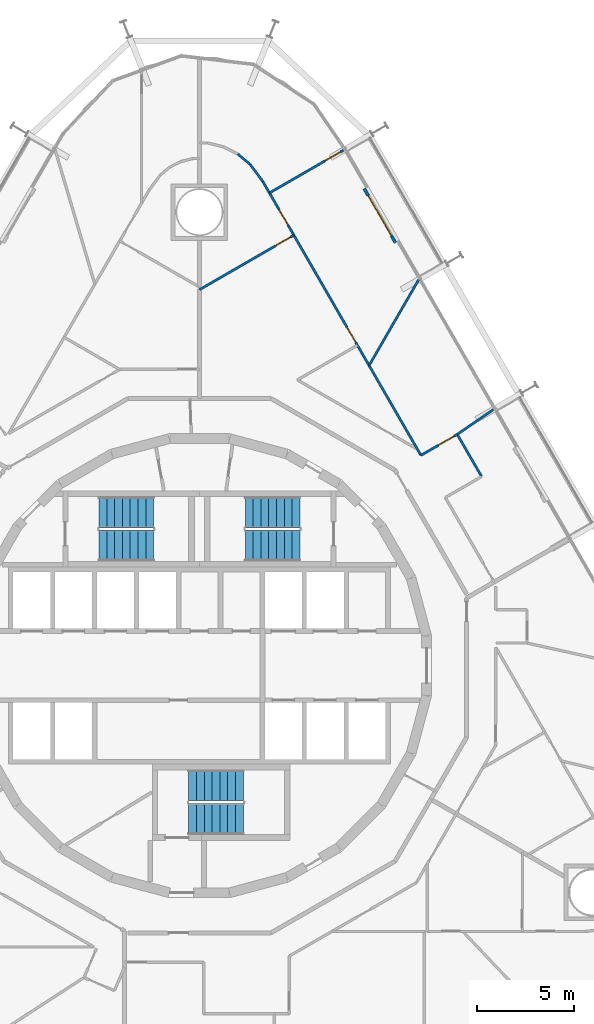
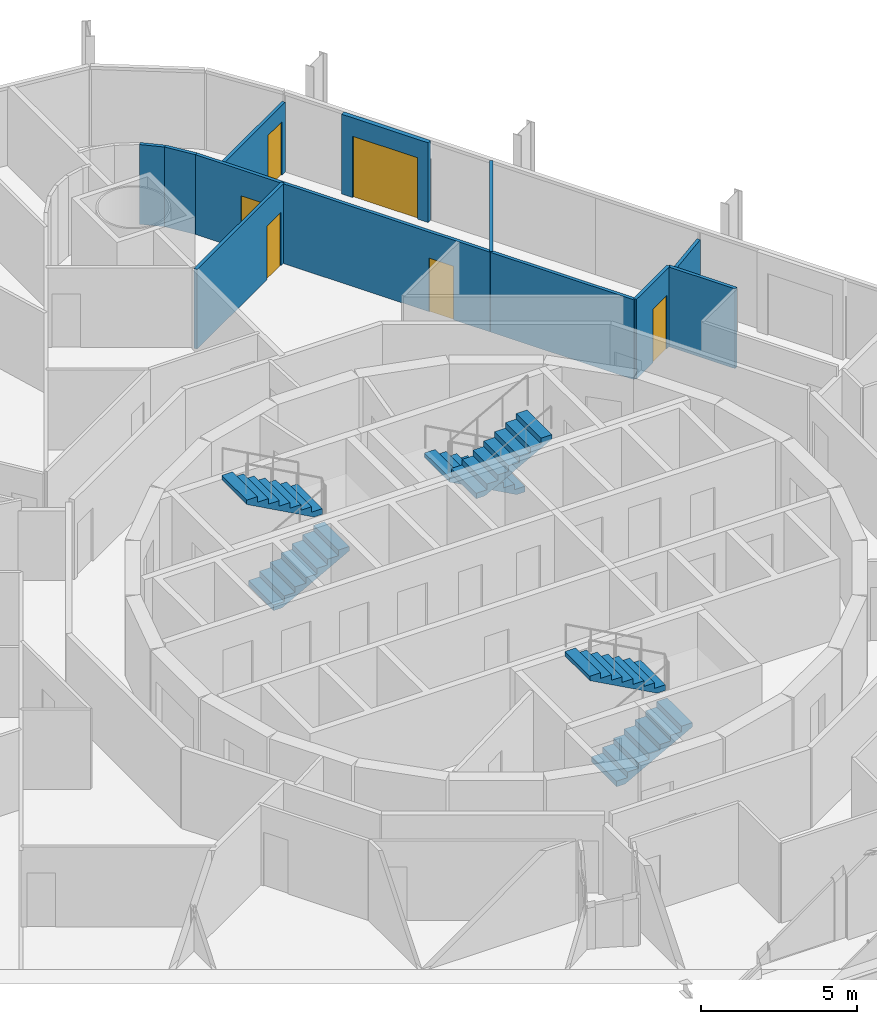
# One storey, part 19 of 21: 11 walls, 6 doors, 6 stair flights, 6 openings, 3 elements without a shape of their own.
"""IFC4 building model written with IfcOpenShell, lengths in metres."""

from ifc_helpers import new_model, si_unit, direction, frame, frame_2d, origin, place, context, subcontext, project, spatial, polyline, rectangle, outline, extrude, material, layer, layer_set, type_object, element, fill, aggregate, save


model = new_model("IFC4")

# Units and contexts
model_context = context("Model", 3, precision=1e-05, world=origin(), true_north=direction((0.0, 1.0)))
body_context = subcontext(model_context, "Body", "Model", "MODEL_VIEW")
ifc_project = project(units=[si_unit("LENGTHUNIT", "METRE"), si_unit("AREAUNIT", "SQUARE_METRE"), si_unit("VOLUMEUNIT", "CUBIC_METRE"), si_unit("PLANEANGLEUNIT", "RADIAN"), si_unit("MASSUNIT", "GRAM", prefix="KILO")], contexts=[model_context])

# Site, building, storey
site_placement = place(None, origin())
site = spatial("IfcSite", under=ifc_project, at=site_placement, CompositionType="ELEMENT")
building_placement = place(site_placement, origin())
building = spatial("IfcBuilding", under=site, at=building_placement, Name="Spindle Arch Residences", CompositionType="ELEMENT")
storey_placement = place(building_placement, frame((0.0, 0.0, 55.89990234375)))
storey = spatial("IfcBuildingStorey", under=building, at=storey_placement, Name="L12", CompositionType="ELEMENT", Elevation=55.89990234375)

# Wall
ifc_material_1 = material(Name="Plasterboard on steel studs", Category="steel")
ifc_layer_1 = layer(ifc_material_1, 0.1201171875)
ifc_layer_set_1 = layer_set([ifc_layer_1], Name="Flat partition 120")
wall_type_1 = type_object("IfcWallType", Name="Flat partition 120", PredefinedType="PARTITIONING", material=ifc_layer_set_1)
wall_1_placement = place(storey_placement, frame((14.470703125, 9.697021484375, 0.0), z_axis=(0.0, 0.0, 1.0), x_axis=(-0.500004234368, 0.866022959057, 0.0)))
element("IfcWall", 1, at=wall_1_placement, inside=storey, type_object=wall_type_1, Name="Flat partition R1B1-W031", PredefinedType="PARTITIONING", context=body_context, shape_type="SweptSolid", body=[
    extrude(rectangle(XDim=2.5, YDim=0.1201171875, at=frame_2d((1.25, 0.0))), origin(), (0.0, 0.0, 1.0), 3.1201171875),
])

# Wall, opening, door
wall_2_placement = place(storey_placement, frame((13.220703125, 11.862060546875, 0.0), z_axis=(0.0, 0.0, 1.0), x_axis=(-0.866055151781, -0.499948471418, 0.0)))
wall_2 = element("IfcWall", 2, at=wall_2_placement, inside=storey, type_object=wall_type_1, Name="Flat partition R1B1-W032", PredefinedType="PARTITIONING", context=body_context, shape_type="SweptSolid", body=[
    extrude(rectangle(XDim=2.150634765625, YDim=0.1201171875, at=frame_2d((1.0751953125, 0.0))), origin(), (0.0, 0.0, 1.0), 3.1201171875),
])
opening_1_placement = place(wall_2_placement, frame((0.199951171875, 0.0, 0.0)))
opening_1 = element("IfcOpeningElement", 3, at=opening_1_placement, cuts=wall_2, Name="Opening R1B1-ID02", PredefinedType="OPENING", context=body_context, shape_type="SweptSolid", body=[
    extrude(rectangle(XDim=0.89990234375, YDim=2.10009765625, at=frame_2d((0.449951171875, 1.050048828125))), frame((0.0, 0.070068359375, 0.0), z_axis=(0.0, -1.0, 0.0), x_axis=(1.0, 0.0, 0.0)), (0.0, 0.0, 1.0), 0.14013671875),
])
ifc_material_2 = material(Name="Timber door set", Category="wood")
door_type_1 = type_object("IfcDoorType", Name="Room door 900x2100", OperationType="NOTDEFINED", PredefinedType="DOOR", material=ifc_material_2)
door_1_placement = place(opening_1_placement, origin())
door_1 = element("IfcDoor", 4, at=door_1_placement, inside=storey, type_object=door_type_1, Name="Room door R1B1-ID02", OperationType="SINGLE_SWING_RIGHT", OverallHeight=2.10009765625, OverallWidth=0.89990234375, PredefinedType="DOOR", context=body_context, shape_type="SweptSolid", body=[
    extrude(rectangle(XDim=0.89990234375, YDim=2.10009765625, at=frame_2d((0.449951171875, 1.050048828125))), frame((0.0, 0.02490234375, 0.0), z_axis=(0.0, -1.0, 0.0), x_axis=(1.0, 0.0, 0.0)), (0.0, 0.0, 1.0), 0.050048828125),
])
fill(opening_1, door_1)

# Wall, openings, doors
wall_3_placement = place(storey_placement, frame((8.69970703125, 15.3916015625, 0.0), z_axis=(0.0, 0.0, 1.0), x_axis=(-0.500002742713, 0.866023820272, 0.0)))
wall_3 = element("IfcWall", 5, at=wall_3_placement, inside=storey, type_object=wall_type_1, Name="Flat partition R1B1-W035", PredefinedType="PARTITIONING", context=body_context, shape_type="SweptSolid", body=[
    extrude(rectangle(XDim=10.90771484375, YDim=0.1201171875, at=frame_2d((5.453857421875, 0.0))), origin(), (0.0, 0.0, 1.0), 3.1201171875),
])
opening_2_placement = place(wall_3_placement, frame((1.360107421875, 0.0, 0.0)))
opening_2 = element("IfcOpeningElement", 6, at=opening_2_placement, cuts=wall_3, Name="Opening R1B1-ID03", PredefinedType="OPENING", context=body_context, shape_type="SweptSolid", body=[
    extrude(rectangle(XDim=0.89990234375, YDim=2.10009765625, at=frame_2d((0.449951171875, 1.050048828125))), frame((0.0, 0.070068359375, 0.0), z_axis=(0.0, -1.0, 0.0), x_axis=(1.0, 0.0, 0.0)), (0.0, 0.0, 1.0), 0.14013671875),
])
opening_3_placement = place(wall_3_placement, frame((8.3173828125, 0.0, 0.0)))
opening_3 = element("IfcOpeningElement", 7, at=opening_3_placement, cuts=wall_3, Name="Opening R1B1-ID06", PredefinedType="OPENING", context=body_context, shape_type="SweptSolid", body=[
    extrude(rectangle(XDim=0.89990234375, YDim=2.10009765625, at=frame_2d((0.449951171875, 1.050048828125))), frame((0.0, 0.070068359375, 0.0), z_axis=(0.0, -1.0, 0.0), x_axis=(1.0, 0.0, 0.0)), (0.0, 0.0, 1.0), 0.14013671875),
])
door_2_placement = place(opening_2_placement, origin())
door_2 = element("IfcDoor", 8, at=door_2_placement, inside=storey, type_object=door_type_1, Name="Room door R1B1-ID03", OperationType="SINGLE_SWING_RIGHT", OverallHeight=2.10009765625, OverallWidth=0.89990234375, PredefinedType="DOOR", context=body_context, shape_type="SweptSolid", body=[
    extrude(rectangle(XDim=0.89990234375, YDim=2.10009765625, at=frame_2d((0.449951171875, 1.050048828125))), frame((0.0, 0.02490234375, 0.0), z_axis=(0.0, -1.0, 0.0), x_axis=(1.0, 0.0, 0.0)), (0.0, 0.0, 1.0), 0.050048828125),
])
fill(opening_2, door_2)
door_3_placement = place(opening_3_placement, origin())
door_3 = element("IfcDoor", 9, at=door_3_placement, inside=storey, type_object=door_type_1, Name="Room door R1B1-ID06", OperationType="SINGLE_SWING_LEFT", OverallHeight=2.10009765625, OverallWidth=0.89990234375, PredefinedType="DOOR", context=body_context, shape_type="SweptSolid", body=[
    extrude(rectangle(XDim=0.89990234375, YDim=2.10009765625, at=frame_2d((0.449951171875, 1.050048828125))), frame((0.0, 0.02490234375, 0.0), z_axis=(0.0, -1.0, 0.0), x_axis=(1.0, 0.0, 0.0)), (0.0, 0.0, 1.0), 0.050048828125),
])
fill(opening_3, door_3)

# Wall, opening, door
wall_4_placement = place(storey_placement, frame((4.8408203125, 22.0751953125, 0.0), z_axis=(0.0, 0.0, 1.0), x_axis=(-0.866019751484, -0.500009789943, 0.0)))
wall_4 = element("IfcWall", 10, at=wall_4_placement, inside=storey, type_object=wall_type_1, Name="Flat partition R1B1-W036", PredefinedType="PARTITIONING", context=body_context, shape_type="SweptSolid", body=[
    extrude(rectangle(XDim=5.58984375, YDim=0.1201171875, at=frame_2d((2.794921875, 0.0))), origin(), (0.0, 0.0, 1.0), 3.1201171875),
])
opening_4_placement = place(wall_4_placement, frame((0.199951171875, 0.0, 0.0)))
opening_4 = element("IfcOpeningElement", 11, at=opening_4_placement, cuts=wall_4, Name="Opening R1B1-ID04", PredefinedType="OPENING", context=body_context, shape_type="SweptSolid", body=[
    extrude(rectangle(XDim=0.89990234375, YDim=2.10009765625, at=frame_2d((0.449951171875, 1.050048828125))), frame((0.0, 0.070068359375, 0.0), z_axis=(0.0, -1.0, 0.0), x_axis=(1.0, 0.0, 0.0)), (0.0, 0.0, 1.0), 0.14013671875),
])
door_4_placement = place(opening_4_placement, origin())
door_4 = element("IfcDoor", 12, at=door_4_placement, inside=storey, type_object=door_type_1, Name="Room door R1B1-ID04", OperationType="SINGLE_SWING_RIGHT", OverallHeight=2.10009765625, OverallWidth=0.89990234375, PredefinedType="DOOR", context=body_context, shape_type="SweptSolid", body=[
    extrude(rectangle(XDim=0.89990234375, YDim=2.10009765625, at=frame_2d((0.449951171875, 1.050048828125))), frame((0.0, 0.02490234375, 0.0), z_axis=(0.0, -1.0, 0.0), x_axis=(1.0, 0.0, 0.0)), (0.0, 0.0, 1.0), 0.050048828125),
])
fill(opening_4, door_4)

# Walls
wall_5_placement = place(storey_placement, frame((8.69970703125, 15.3916015625, 0.0), z_axis=(0.0, 0.0, 1.0), x_axis=(0.499986106925, -0.866033424806, 0.0)))
element("IfcWall", 13, at=wall_5_placement, inside=storey, type_object=wall_type_1, Name="Flat partition R1B1-W038", PredefinedType="PARTITIONING", context=body_context, shape_type="SweptSolid", body=[
    extrude(rectangle(XDim=5.317138671875, YDim=0.1201171875, at=frame_2d((2.65869140625, 0.0))), origin(), (0.0, 0.0, 1.0), 3.1201171875),
])
wall_6_placement = place(storey_placement, frame((11.239990234375, 19.791748046875, 0.0), z_axis=(0.0, 0.0, 1.0), x_axis=(-0.499978956711, -0.866037552792, 0.0)))
element("IfcWall", 14, at=wall_6_placement, inside=storey, type_object=wall_type_1, Name="Flat partition R1B1-W039", PredefinedType="PARTITIONING", context=body_context, shape_type="SweptSolid", body=[
    extrude(rectangle(XDim=5.080810546875, YDim=0.1201171875, at=frame_2d((2.54052734375, 0.0))), origin(), (0.0, 0.0, 1.0), 3.1201171875),
])
wall_7_placement = place(storey_placement, frame((1.9619140625, 26.24267578125, 0.0), z_axis=(0.0, 0.0, 1.0), x_axis=(0.765849913579, -0.643019369748, 0.0)))
element("IfcWall", 15, at=wall_7_placement, inside=storey, type_object=wall_type_1, Name="Flat partition R1B1-W044", PredefinedType="PARTITIONING", context=body_context, shape_type="SweptSolid", body=[
    extrude(rectangle(XDim=0.828857421875, YDim=0.1201171875, at=frame_2d((0.41455078125, 0.0))), origin(), (0.0, 0.0, 1.0), 3.1201171875),
])
wall_8_placement = place(storey_placement, frame((2.5966796875, 25.709716796875, 0.0), z_axis=(0.0, 0.0, 1.0), x_axis=(0.59722925597, -0.802070580319, 0.0)))
element("IfcWall", 16, at=wall_8_placement, inside=storey, type_object=wall_type_1, Name="Flat partition R1B1-W045", PredefinedType="PARTITIONING", context=body_context, shape_type="SweptSolid", body=[
    extrude(rectangle(XDim=1.0869140625, YDim=0.1201171875, at=frame_2d((0.54345703125, 0.0))), origin(), (0.0, 0.0, 1.0), 3.1201171875),
])
ifc_material_3 = material(Name="Plasterboard on steel studs", Category="steel")
ifc_layer_2 = layer(ifc_material_3, 0.1201171875)
ifc_layer_set_2 = layer_set([ifc_layer_2], Name="Flat partition 120 under beam 2730")
wall_type_2 = type_object("IfcWallType", Name="Flat partition 120 under beam 2730", PredefinedType="PARTITIONING", material=ifc_layer_set_2)
wall_9_placement = place(storey_placement, frame((15.080078125, 13.140380859375, 0.0), z_axis=(0.0, 0.0, 1.0), x_axis=(-0.824041924199, -0.566528822887, 0.0)))
element("IfcWall", 17, at=wall_9_placement, inside=storey, type_object=wall_type_2, Name="Flat partition R1B1-W037", PredefinedType="PARTITIONING", context=body_context, shape_type="SweptSolid", body=[
    extrude(rectangle(XDim=2.25634765625, YDim=0.1201171875, at=frame_2d((1.128173828125, 0.0))), origin(), (0.0, 0.0, 1.0), 2.72998046875),
])

# Wall, opening, door
wall_10_placement = place(storey_placement, frame((7.39990234375, 26.44287109375, 0.0), z_axis=(0.0, 0.0, 1.0), x_axis=(-0.866032203192, -0.499988222896, 0.0)))
wall_10 = element("IfcWall", 18, at=wall_10_placement, inside=storey, type_object=wall_type_2, Name="Flat partition R1B1-W040", PredefinedType="PARTITIONING", context=body_context, shape_type="SweptSolid", body=[
    extrude(rectangle(XDim=4.39990234375, YDim=0.1201171875, at=frame_2d((2.199951171875, 0.0))), origin(), (0.0, 0.0, 1.0), 2.72998046875),
])
opening_5_placement = place(wall_10_placement, frame((0.199951171875, 0.0, 0.0)))
opening_5 = element("IfcOpeningElement", 19, at=opening_5_placement, cuts=wall_10, Name="Opening R1B1-ID05", PredefinedType="OPENING", context=body_context, shape_type="SweptSolid", body=[
    extrude(rectangle(XDim=0.89990234375, YDim=2.10009765625, at=frame_2d((0.449951171875, 1.050048828125))), frame((0.0, 0.070068359375, 0.0), z_axis=(0.0, -1.0, 0.0), x_axis=(1.0, 0.0, 0.0)), (0.0, 0.0, 1.0), 0.14013671875),
])
door_5_placement = place(opening_5_placement, origin())
door_5 = element("IfcDoor", 20, at=door_5_placement, inside=storey, type_object=door_type_1, Name="Room door R1B1-ID05", OperationType="SINGLE_SWING_RIGHT", OverallHeight=2.10009765625, OverallWidth=0.89990234375, PredefinedType="DOOR", context=body_context, shape_type="SweptSolid", body=[
    extrude(rectangle(XDim=0.89990234375, YDim=2.10009765625, at=frame_2d((0.449951171875, 1.050048828125))), frame((0.0, 0.02490234375, 0.0), z_axis=(0.0, -1.0, 0.0), x_axis=(1.0, 0.0, 0.0)), (0.0, 0.0, 1.0), 0.050048828125),
])
fill(opening_5, door_5)

ifc_material_4 = material(Name="Non-combustible mineral wool insulated aluminium faced external wall (K0)", Category="aluminium")
ifc_layer_3 = layer(ifc_material_4, 0.159912109375)
ifc_layer_set_3 = layer_set([ifc_layer_3], Name="Insulated external wall panel 160")
wall_type_3 = type_object("IfcWallType", Name="Insulated external wall panel 160", PredefinedType="STANDARD", material=ifc_layer_set_3)
wall_11_placement = place(storey_placement, frame((10.050537109375, 21.691650390625, 0.0), z_axis=(0.0, 0.0, 1.0), x_axis=(-0.499971222258, 0.866042017984, 0.0)))
wall_11 = element("IfcWall", 21, at=wall_11_placement, inside=storey, type_object=wall_type_3, Name="External wall L12 bay 10", PredefinedType="STANDARD", context=body_context, shape_type="SweptSolid", body=[
    extrude(rectangle(XDim=3.199951171875, YDim=0.159912109375, at=frame_2d((1.60009765625, 0.0))), origin(), (0.0, 0.0, 1.0), 3.1201171875),
])
opening_6_placement = place(wall_11_placement, frame((0.39990234375, 0.0, 0.0)))
opening_6 = element("IfcOpeningElement", 22, at=opening_6_placement, cuts=wall_11, Name="Opening BD10", PredefinedType="OPENING", context=body_context, shape_type="SweptSolid", body=[
    extrude(rectangle(XDim=2.39990234375, YDim=2.39990234375, at=frame_2d((1.199951171875, 1.199951171875))), frame((0.0, 0.08984375, 0.0), z_axis=(0.0, -1.0, 0.0), x_axis=(1.0, 0.0, 0.0)), (0.0, 0.0, 1.0), 0.179931640625),
])
ifc_material_5 = material(Name="Bronze aluminium frame, tinted double glazing", Category="aluminium")
door_type_2 = type_object("IfcDoorType", Name="Sliding glazed balcony door 2400x2400", OperationType="DOUBLE_DOOR_SLIDING", PredefinedType="DOOR", material=ifc_material_5)
door_6_placement = place(opening_6_placement, origin())
door_6 = element("IfcDoor", 23, at=door_6_placement, inside=storey, type_object=door_type_2, Name="Balcony door BD10", OperationType="DOUBLE_DOOR_SLIDING", OverallHeight=2.39990234375, OverallWidth=2.39990234375, PredefinedType="DOOR", context=body_context, shape_type="SweptSolid", body=[
    extrude(rectangle(XDim=2.39990234375, YDim=2.39990234375, at=frame_2d((1.199951171875, 1.199951171875))), frame((0.0, 0.02490234375, 0.0), z_axis=(0.0, -1.0, 0.0), x_axis=(1.0, 0.0, 0.0)), (0.0, 0.0, 1.0), 0.050048828125),
])
fill(opening_6, door_6)

# Stair, stair flights
ifc_material_6 = material(Name="Concrete C50/60", Category="concrete")
stair_type = type_object("IfcStairType", Name="Exit stair 16 risers", PredefinedType="HALF_TURN_STAIR", material=ifc_material_6)
stair_1_placement = place(storey_placement, origin())
stair_1 = element("IfcStair", 24, at=stair_1_placement, inside=storey, type_object=stair_type, Name="L12 Exit stair ST1", PredefinedType="HALF_TURN_STAIR")
ifc_material_7 = material(Name="Concrete C50/60", Category="concrete")
stair_flight_type = type_object("IfcStairFlightType", Name="Exit stair flight", PredefinedType="STRAIGHT", material=ifc_material_7)
stair_flight_1_placement = place(storey_placement, frame((5.14990234375, 7.8701171875, 0.0), z_axis=(0.0, 0.0, 1.0), x_axis=(-1.0, 0.0, 0.0)))
stair_flight_1 = element("IfcStairFlight", 25, at=stair_flight_1_placement, type_object=stair_flight_type, Name="ST1 flight 1", NumberOfRisers=8, NumberOfTreads=7, PredefinedType="STRAIGHT", RiserHeight=0.21875, TreadLength=0.4, context=body_context, shape_type="SweptSolid", body=[
    extrude(outline(polyline([(0.0, 0.0), (0.0, 0.21875), (0.39990234375, 0.21875), (0.39990234375, 0.4375), (0.800048828125, 0.4375), (0.800048828125, 0.65625), (1.199951171875, 0.65625), (1.199951171875, 0.875), (1.60009765625, 0.875), (1.60009765625, 1.09375), (2.0, 1.09375), (2.0, 1.3125), (2.39990234375, 1.3125), (2.39990234375, 1.53125), (2.800048828125, 1.53125), (2.800048828125, 1.75), (2.800048828125, 1.3603515625), (0.3125, 0.0), (0.0, 0.0)])), frame((0.0, 0.800048828125, 0.0), z_axis=(0.0, -1.0, 0.0), x_axis=(1.0, 0.0, 0.0)), (0.0, 0.0, 1.0), 1.60009765625),
])
stair_flight_2_placement = place(storey_placement, frame((2.35009765625, 6.14990234375, 1.75), z_axis=(0.0, 0.0, 1.0), x_axis=(1.0, 0.0, 0.0)))
stair_flight_2 = element("IfcStairFlight", 26, at=stair_flight_2_placement, type_object=stair_flight_type, Name="ST1 flight 2", NumberOfRisers=8, NumberOfTreads=7, PredefinedType="STRAIGHT", RiserHeight=0.21875, TreadLength=0.4, context=body_context, shape_type="SweptSolid", body=[
    extrude(outline(polyline([(0.0, 0.0), (0.0, 0.21875), (0.39990234375, 0.21875), (0.39990234375, 0.4375), (0.800048828125, 0.4375), (0.800048828125, 0.65625), (1.199951171875, 0.65625), (1.199951171875, 0.875), (1.60009765625, 0.875), (1.60009765625, 1.09375), (2.0, 1.09375), (2.0, 1.3125), (2.39990234375, 1.3125), (2.39990234375, 1.53125), (2.800048828125, 1.53125), (2.800048828125, 1.75), (2.800048828125, 1.3603515625), (0.3125, 0.0), (0.0, 0.0)])), frame((0.0, 0.800048828125, 0.0), z_axis=(0.0, -1.0, 0.0), x_axis=(1.0, 0.0, 0.0)), (0.0, 0.0, 1.0), 1.60009765625),
])
aggregate(stair_1, [stair_flight_1, stair_flight_2])

stair_2_placement = place(storey_placement, origin())
stair_2 = element("IfcStair", 27, at=stair_2_placement, inside=storey, type_object=stair_type, Name="L12 Exit stair ST2", PredefinedType="HALF_TURN_STAIR")
stair_flight_3_placement = place(storey_placement, frame((-5.14990234375, 6.14990234375, 0.0), z_axis=(0.0, 0.0, 1.0), x_axis=(1.0, 0.0, 0.0)))
stair_flight_3 = element("IfcStairFlight", 28, at=stair_flight_3_placement, type_object=stair_flight_type, Name="ST2 flight 1", NumberOfRisers=8, NumberOfTreads=7, PredefinedType="STRAIGHT", RiserHeight=0.21875, TreadLength=0.4, context=body_context, shape_type="SweptSolid", body=[
    extrude(outline(polyline([(0.0, 0.0), (0.0, 0.21875), (0.39990234375, 0.21875), (0.39990234375, 0.4375), (0.800048828125, 0.4375), (0.800048828125, 0.65625), (1.199951171875, 0.65625), (1.199951171875, 0.875), (1.60009765625, 0.875), (1.60009765625, 1.09375), (2.0, 1.09375), (2.0, 1.3125), (2.39990234375, 1.3125), (2.39990234375, 1.53125), (2.800048828125, 1.53125), (2.800048828125, 1.75), (2.800048828125, 1.3603515625), (0.3125, 0.0), (0.0, 0.0)])), frame((0.0, 0.800048828125, 0.0), z_axis=(0.0, -1.0, 0.0), x_axis=(1.0, 0.0, 0.0)), (0.0, 0.0, 1.0), 1.60009765625),
])
stair_flight_4_placement = place(storey_placement, frame((-2.35009765625, 7.8701171875, 1.75), z_axis=(0.0, 0.0, 1.0), x_axis=(-1.0, 0.0, 0.0)))
stair_flight_4 = element("IfcStairFlight", 29, at=stair_flight_4_placement, type_object=stair_flight_type, Name="ST2 flight 2", NumberOfRisers=8, NumberOfTreads=7, PredefinedType="STRAIGHT", RiserHeight=0.21875, TreadLength=0.4, context=body_context, shape_type="SweptSolid", body=[
    extrude(outline(polyline([(0.0, 0.0), (0.0, 0.21875), (0.39990234375, 0.21875), (0.39990234375, 0.4375), (0.800048828125, 0.4375), (0.800048828125, 0.65625), (1.199951171875, 0.65625), (1.199951171875, 0.875), (1.60009765625, 0.875), (1.60009765625, 1.09375), (2.0, 1.09375), (2.0, 1.3125), (2.39990234375, 1.3125), (2.39990234375, 1.53125), (2.800048828125, 1.53125), (2.800048828125, 1.75), (2.800048828125, 1.3603515625), (0.3125, 0.0), (0.0, 0.0)])), frame((0.0, 0.800048828125, 0.0), z_axis=(0.0, -1.0, 0.0), x_axis=(1.0, 0.0, 0.0)), (0.0, 0.0, 1.0), 1.60009765625),
])
aggregate(stair_2, [stair_flight_3, stair_flight_4])

stair_3_placement = place(storey_placement, origin())
stair_3 = element("IfcStair", 30, at=stair_3_placement, inside=storey, type_object=stair_type, Name="L12 Exit stair ST3", PredefinedType="HALF_TURN_STAIR")
stair_flight_5_placement = place(storey_placement, frame((-0.550048828125, -7.8701171875, 0.0), z_axis=(0.0, 0.0, 1.0), x_axis=(1.0, 0.0, 0.0)))
stair_flight_5 = element("IfcStairFlight", 31, at=stair_flight_5_placement, type_object=stair_flight_type, Name="ST3 flight 1", NumberOfRisers=8, NumberOfTreads=7, PredefinedType="STRAIGHT", RiserHeight=0.21875, TreadLength=0.4, context=body_context, shape_type="SweptSolid", body=[
    extrude(outline(polyline([(0.0, 0.0), (0.0, 0.21875), (0.39990234375, 0.21875), (0.39990234375, 0.4375), (0.800048828125, 0.4375), (0.800048828125, 0.65625), (1.199951171875, 0.65625), (1.199951171875, 0.875), (1.60009765625, 0.875), (1.60009765625, 1.09375), (2.0, 1.09375), (2.0, 1.3125), (2.39990234375, 1.3125), (2.39990234375, 1.53125), (2.800048828125, 1.53125), (2.800048828125, 1.75), (2.800048828125, 1.3603515625), (0.3125, 0.0), (0.0, 0.0)])), frame((0.0, 0.800048828125, 0.0), z_axis=(0.0, -1.0, 0.0), x_axis=(1.0, 0.0, 0.0)), (0.0, 0.0, 1.0), 1.60009765625),
])
stair_flight_6_placement = place(storey_placement, frame((2.25, -6.14990234375, 1.75), z_axis=(0.0, 0.0, 1.0), x_axis=(-1.0, 0.0, 0.0)))
stair_flight_6 = element("IfcStairFlight", 32, at=stair_flight_6_placement, type_object=stair_flight_type, Name="ST3 flight 2", NumberOfRisers=8, NumberOfTreads=7, PredefinedType="STRAIGHT", RiserHeight=0.21875, TreadLength=0.4, context=body_context, shape_type="SweptSolid", body=[
    extrude(outline(polyline([(0.0, 0.0), (0.0, 0.21875), (0.39990234375, 0.21875), (0.39990234375, 0.4375), (0.800048828125, 0.4375), (0.800048828125, 0.65625), (1.199951171875, 0.65625), (1.199951171875, 0.875), (1.60009765625, 0.875), (1.60009765625, 1.09375), (2.0, 1.09375), (2.0, 1.3125), (2.39990234375, 1.3125), (2.39990234375, 1.53125), (2.800048828125, 1.53125), (2.800048828125, 1.75), (2.800048828125, 1.3603515625), (0.3125, 0.0), (0.0, 0.0)])), frame((0.0, 0.800048828125, 0.0), z_axis=(0.0, -1.0, 0.0), x_axis=(1.0, 0.0, 0.0)), (0.0, 0.0, 1.0), 1.60009765625),
])
aggregate(stair_3, [stair_flight_5, stair_flight_6])

save(model, "model.ifc")
